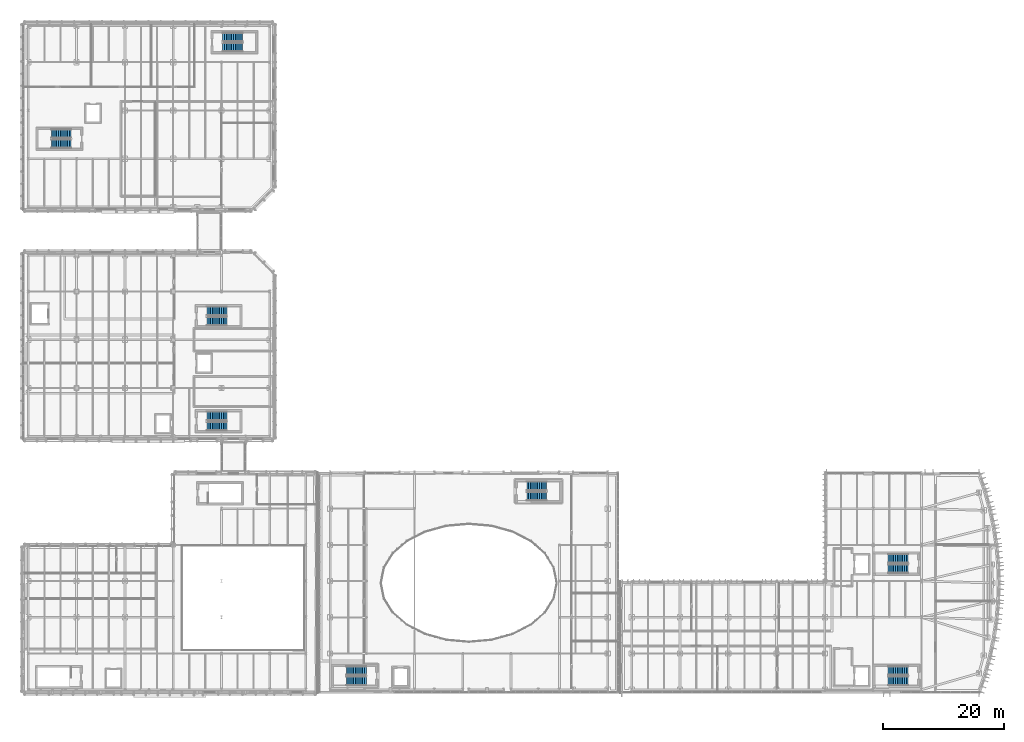
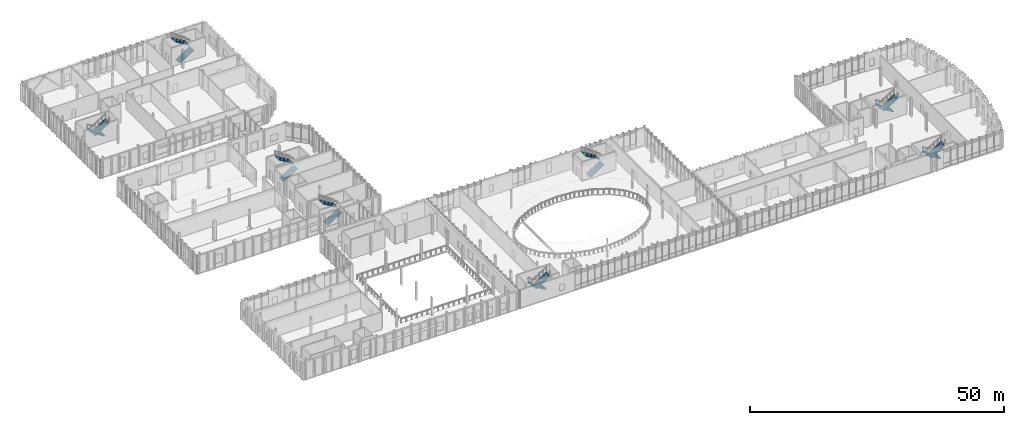
# One storey, part 77 of 100: 16 stair flights, 8 elements without a shape of their own.
"""IFC4 building model written with IfcOpenShell, lengths in metres."""

from ifc_helpers import new_model, si_unit, direction, frame, origin, place, context, subcontext, project, spatial, polyline, outline, extrude, material, type_object, element, aggregate, save


model = new_model("IFC4")

# Units and contexts
model_context = context("Model", 3, precision=1e-05, world=origin(), true_north=direction((0.0, 1.0)))
body_context = subcontext(model_context, "Body", "Model", "MODEL_VIEW")
ifc_project = project(units=[si_unit("LENGTHUNIT", "METRE"), si_unit("AREAUNIT", "SQUARE_METRE"), si_unit("VOLUMEUNIT", "CUBIC_METRE"), si_unit("PLANEANGLEUNIT", "RADIAN"), si_unit("MASSUNIT", "GRAM", prefix="KILO")], contexts=[model_context])

# Site, building, storey
site_placement = place(None, origin())
site = spatial("IfcSite", under=ifc_project, at=site_placement, CompositionType="ELEMENT")
building_placement = place(site_placement, origin())
building = spatial("IfcBuilding", under=site, at=building_placement, Name="Cymarion Research Institute", CompositionType="ELEMENT")
storey_placement = place(building_placement, frame((0.0, 0.0, 9.300048828125)))
storey = spatial("IfcBuildingStorey", under=building, at=storey_placement, Name="L02", CompositionType="ELEMENT", Elevation=9.300048828125)

# Stair, stair flights
ifc_material = material(Name="Concrete C35/45", Category="concrete")
stair_type = type_object("IfcStairType", Name="REINFORCED CONCRETE DOGLEG STAIR STR-4500", PredefinedType="HALF_TURN_STAIR", material=ifc_material)
stair_1_placement = place(storey_placement, origin())
stair_1 = element("IfcStair", 1, at=stair_1_placement, inside=storey, type_object=stair_type, Name="L02 Core C1 Smoke-Proof Exit Stair ST1", PredefinedType="HALF_TURN_STAIR")
stair_flight_type = type_object("IfcStairFlightType", Name="REINFORCED CONCRETE STAIR FLIGHT SFL-4500", PredefinedType="STRAIGHT", material=ifc_material)
stair_flight_1_placement = place(storey_placement, frame((152.39990234375, 8.639892578125, 0.0), z_axis=(0.0, 0.0, 1.0), x_axis=(-1.0, 0.0, 0.0)))
stair_flight_1 = element("IfcStairFlight", 2, at=stair_flight_1_placement, type_object=stair_flight_type, Name="ST1 flight 1", NumberOfRisers=12, NumberOfTreads=11, PredefinedType="STRAIGHT", RiserHeight=0.1875, TreadLength=0.3, context=body_context, shape_type="SweptSolid", body=[
    extrude(outline(polyline([(0.0, 0.0), (0.0, 0.1875), (0.300048828125, 0.1875), (0.300048828125, 0.375), (0.60009765625, 0.375), (0.60009765625, 0.5625), (0.89990234375, 0.5625), (0.89990234375, 0.75), (1.199951171875, 0.75), (1.199951171875, 0.9375), (1.5, 0.9375), (1.5, 1.125), (1.800048828125, 1.125), (1.800048828125, 1.3125), (2.10009765625, 1.3125), (2.10009765625, 1.5), (2.39990234375, 1.5), (2.39990234375, 1.6875), (2.699951171875, 1.6875), (2.699951171875, 1.875), (3.0, 1.875), (3.0, 2.0625), (3.300048828125, 2.0625), (3.300048828125, 2.25), (3.300048828125, 1.8857421875), (0.28271484375, 0.0), (0.0, 0.0)])), frame((0.0, 0.760009765625, 0.0), z_axis=(0.0, -1.0, 0.0), x_axis=(1.0, 0.0, 0.0)), (0.0, 0.0, 1.0), 1.52001953125),
])
stair_flight_2_placement = place(storey_placement, frame((149.10009765625, 6.9599609375, 2.25), z_axis=(0.0, 0.0, 1.0), x_axis=(1.0, 0.0, 0.0)))
stair_flight_2 = element("IfcStairFlight", 3, at=stair_flight_2_placement, type_object=stair_flight_type, Name="ST1 flight 2", NumberOfRisers=12, NumberOfTreads=11, PredefinedType="STRAIGHT", RiserHeight=0.1875, TreadLength=0.3, context=body_context, shape_type="SweptSolid", body=[
    extrude(outline(polyline([(0.0, 0.0), (0.0, 0.1875), (0.300048828125, 0.1875), (0.300048828125, 0.375), (0.60009765625, 0.375), (0.60009765625, 0.5625), (0.89990234375, 0.5625), (0.89990234375, 0.75), (1.199951171875, 0.75), (1.199951171875, 0.9375), (1.5, 0.9375), (1.5, 1.125), (1.800048828125, 1.125), (1.800048828125, 1.3125), (2.10009765625, 1.3125), (2.10009765625, 1.5), (2.39990234375, 1.5), (2.39990234375, 1.6875), (2.699951171875, 1.6875), (2.699951171875, 1.875), (3.0, 1.875), (3.0, 2.0625), (3.300048828125, 2.0625), (3.300048828125, 2.25), (3.300048828125, 1.8857421875), (0.28271484375, 0.0), (0.0, 0.0)])), frame((0.0, 0.760009765625, 0.0), z_axis=(0.0, -1.0, 0.0), x_axis=(1.0, 0.0, 0.0)), (0.0, 0.0, 1.0), 1.52001953125),
])
aggregate(stair_1, [stair_flight_1, stair_flight_2])

stair_2_placement = place(storey_placement, origin())
stair_2 = element("IfcStair", 4, at=stair_2_placement, inside=storey, type_object=stair_type, Name="L02 Core C2 Smoke-Proof Exit Stair ST2", PredefinedType="HALF_TURN_STAIR")
stair_flight_3_placement = place(storey_placement, frame((152.39990234375, 27.239990234375, 0.0), z_axis=(0.0, 0.0, 1.0), x_axis=(-1.0, 0.0, 0.0)))
stair_flight_3 = element("IfcStairFlight", 5, at=stair_flight_3_placement, type_object=stair_flight_type, Name="ST2 flight 1", NumberOfRisers=12, NumberOfTreads=11, PredefinedType="STRAIGHT", RiserHeight=0.1875, TreadLength=0.3, context=body_context, shape_type="SweptSolid", body=[
    extrude(outline(polyline([(0.0, 0.0), (0.0, 0.1875), (0.300048828125, 0.1875), (0.300048828125, 0.375), (0.60009765625, 0.375), (0.60009765625, 0.5625), (0.89990234375, 0.5625), (0.89990234375, 0.75), (1.199951171875, 0.75), (1.199951171875, 0.9375), (1.5, 0.9375), (1.5, 1.125), (1.800048828125, 1.125), (1.800048828125, 1.3125), (2.10009765625, 1.3125), (2.10009765625, 1.5), (2.39990234375, 1.5), (2.39990234375, 1.6875), (2.699951171875, 1.6875), (2.699951171875, 1.875), (3.0, 1.875), (3.0, 2.0625), (3.300048828125, 2.0625), (3.300048828125, 2.25), (3.300048828125, 1.8857421875), (0.28271484375, 0.0), (0.0, 0.0)])), frame((0.0, 0.760009765625, 0.0), z_axis=(0.0, -1.0, 0.0), x_axis=(1.0, 0.0, 0.0)), (0.0, 0.0, 1.0), 1.52001953125),
])
stair_flight_4_placement = place(storey_placement, frame((149.10009765625, 25.56005859375, 2.25), z_axis=(0.0, 0.0, 1.0), x_axis=(1.0, 0.0, 0.0)))
stair_flight_4 = element("IfcStairFlight", 6, at=stair_flight_4_placement, type_object=stair_flight_type, Name="ST2 flight 2", NumberOfRisers=12, NumberOfTreads=11, PredefinedType="STRAIGHT", RiserHeight=0.1875, TreadLength=0.3, context=body_context, shape_type="SweptSolid", body=[
    extrude(outline(polyline([(0.0, 0.0), (0.0, 0.1875), (0.300048828125, 0.1875), (0.300048828125, 0.375), (0.60009765625, 0.375), (0.60009765625, 0.5625), (0.89990234375, 0.5625), (0.89990234375, 0.75), (1.199951171875, 0.75), (1.199951171875, 0.9375), (1.5, 0.9375), (1.5, 1.125), (1.800048828125, 1.125), (1.800048828125, 1.3125), (2.10009765625, 1.3125), (2.10009765625, 1.5), (2.39990234375, 1.5), (2.39990234375, 1.6875), (2.699951171875, 1.6875), (2.699951171875, 1.875), (3.0, 1.875), (3.0, 2.0625), (3.300048828125, 2.0625), (3.300048828125, 2.25), (3.300048828125, 1.8857421875), (0.28271484375, 0.0), (0.0, 0.0)])), frame((0.0, 0.760009765625, 0.0), z_axis=(0.0, -1.0, 0.0), x_axis=(1.0, 0.0, 0.0)), (0.0, 0.0, 1.0), 1.52001953125),
])
aggregate(stair_2, [stair_flight_3, stair_flight_4])

stair_3_placement = place(storey_placement, origin())
stair_3 = element("IfcStair", 7, at=stair_3_placement, inside=storey, type_object=stair_type, Name="L02 Core C3 Smoke-Proof Exit Stair ST3", PredefinedType="HALF_TURN_STAIR")
stair_flight_5_placement = place(storey_placement, frame((62.60009765625, 8.639892578125, 0.0), z_axis=(0.0, 0.0, 1.0), x_axis=(-1.0, 0.0, 0.0)))
stair_flight_5 = element("IfcStairFlight", 8, at=stair_flight_5_placement, type_object=stair_flight_type, Name="ST3 flight 1", NumberOfRisers=12, NumberOfTreads=11, PredefinedType="STRAIGHT", RiserHeight=0.1875, TreadLength=0.3, context=body_context, shape_type="SweptSolid", body=[
    extrude(outline(polyline([(0.0, 0.0), (0.0, 0.1875), (0.300048828125, 0.1875), (0.300048828125, 0.375), (0.60009765625, 0.375), (0.60009765625, 0.5625), (0.89990234375, 0.5625), (0.89990234375, 0.75), (1.199951171875, 0.75), (1.199951171875, 0.9375), (1.5, 0.9375), (1.5, 1.125), (1.800048828125, 1.125), (1.800048828125, 1.3125), (2.10009765625, 1.3125), (2.10009765625, 1.5), (2.39990234375, 1.5), (2.39990234375, 1.6875), (2.699951171875, 1.6875), (2.699951171875, 1.875), (3.0, 1.875), (3.0, 2.0625), (3.300048828125, 2.0625), (3.300048828125, 2.25), (3.300048828125, 1.8857421875), (0.28271484375, 0.0), (0.0, 0.0)])), frame((0.0, 0.760009765625, 0.0), z_axis=(0.0, -1.0, 0.0), x_axis=(1.0, 0.0, 0.0)), (0.0, 0.0, 1.0), 1.52001953125),
])
stair_flight_6_placement = place(storey_placement, frame((59.300048828125, 6.9599609375, 2.25), z_axis=(0.0, 0.0, 1.0), x_axis=(1.0, 0.0, 0.0)))
stair_flight_6 = element("IfcStairFlight", 9, at=stair_flight_6_placement, type_object=stair_flight_type, Name="ST3 flight 2", NumberOfRisers=12, NumberOfTreads=11, PredefinedType="STRAIGHT", RiserHeight=0.1875, TreadLength=0.3, context=body_context, shape_type="SweptSolid", body=[
    extrude(outline(polyline([(0.0, 0.0), (0.0, 0.1875), (0.300048828125, 0.1875), (0.300048828125, 0.375), (0.60009765625, 0.375), (0.60009765625, 0.5625), (0.89990234375, 0.5625), (0.89990234375, 0.75), (1.199951171875, 0.75), (1.199951171875, 0.9375), (1.5, 0.9375), (1.5, 1.125), (1.800048828125, 1.125), (1.800048828125, 1.3125), (2.10009765625, 1.3125), (2.10009765625, 1.5), (2.39990234375, 1.5), (2.39990234375, 1.6875), (2.699951171875, 1.6875), (2.699951171875, 1.875), (3.0, 1.875), (3.0, 2.0625), (3.300048828125, 2.0625), (3.300048828125, 2.25), (3.300048828125, 1.8857421875), (0.28271484375, 0.0), (0.0, 0.0)])), frame((0.0, 0.760009765625, 0.0), z_axis=(0.0, -1.0, 0.0), x_axis=(1.0, 0.0, 0.0)), (0.0, 0.0, 1.0), 1.52001953125),
])
aggregate(stair_3, [stair_flight_5, stair_flight_6])

stair_4_placement = place(storey_placement, origin())
stair_4 = element("IfcStair", 10, at=stair_4_placement, inside=storey, type_object=stair_type, Name="L02 Core C4 Smoke-Proof Exit Stair ST4", PredefinedType="HALF_TURN_STAIR")
stair_flight_7_placement = place(storey_placement, frame((89.199951171875, 37.56005859375, 0.0), z_axis=(0.0, 0.0, 1.0), x_axis=(1.0, 0.0, 0.0)))
stair_flight_7 = element("IfcStairFlight", 11, at=stair_flight_7_placement, type_object=stair_flight_type, Name="ST4 flight 1", NumberOfRisers=12, NumberOfTreads=11, PredefinedType="STRAIGHT", RiserHeight=0.1875, TreadLength=0.3, context=body_context, shape_type="SweptSolid", body=[
    extrude(outline(polyline([(0.0, 0.0), (0.0, 0.1875), (0.300048828125, 0.1875), (0.300048828125, 0.375), (0.60009765625, 0.375), (0.60009765625, 0.5625), (0.89990234375, 0.5625), (0.89990234375, 0.75), (1.199951171875, 0.75), (1.199951171875, 0.9375), (1.5, 0.9375), (1.5, 1.125), (1.800048828125, 1.125), (1.800048828125, 1.3125), (2.10009765625, 1.3125), (2.10009765625, 1.5), (2.39990234375, 1.5), (2.39990234375, 1.6875), (2.699951171875, 1.6875), (2.699951171875, 1.875), (3.0, 1.875), (3.0, 2.0625), (3.300048828125, 2.0625), (3.300048828125, 2.25), (3.300048828125, 1.8857421875), (0.28271484375, 0.0), (0.0, 0.0)])), frame((0.0, 0.760009765625, 0.0), z_axis=(0.0, -1.0, 0.0), x_axis=(1.0, 0.0, 0.0)), (0.0, 0.0, 1.0), 1.52001953125),
])
stair_flight_8_placement = place(storey_placement, frame((92.5, 39.239990234375, 2.25), z_axis=(0.0, 0.0, 1.0), x_axis=(-1.0, 0.0, 0.0)))
stair_flight_8 = element("IfcStairFlight", 12, at=stair_flight_8_placement, type_object=stair_flight_type, Name="ST4 flight 2", NumberOfRisers=12, NumberOfTreads=11, PredefinedType="STRAIGHT", RiserHeight=0.1875, TreadLength=0.3, context=body_context, shape_type="SweptSolid", body=[
    extrude(outline(polyline([(0.0, 0.0), (0.0, 0.1875), (0.300048828125, 0.1875), (0.300048828125, 0.375), (0.60009765625, 0.375), (0.60009765625, 0.5625), (0.89990234375, 0.5625), (0.89990234375, 0.75), (1.199951171875, 0.75), (1.199951171875, 0.9375), (1.5, 0.9375), (1.5, 1.125), (1.800048828125, 1.125), (1.800048828125, 1.3125), (2.10009765625, 1.3125), (2.10009765625, 1.5), (2.39990234375, 1.5), (2.39990234375, 1.6875), (2.699951171875, 1.6875), (2.699951171875, 1.875), (3.0, 1.875), (3.0, 2.0625), (3.300048828125, 2.0625), (3.300048828125, 2.25), (3.300048828125, 1.8857421875), (0.28271484375, 0.0), (0.0, 0.0)])), frame((0.0, 0.760009765625, 0.0), z_axis=(0.0, -1.0, 0.0), x_axis=(1.0, 0.0, 0.0)), (0.0, 0.0, 1.0), 1.52001953125),
])
aggregate(stair_4, [stair_flight_7, stair_flight_8])

stair_5_placement = place(storey_placement, origin())
stair_5 = element("IfcStair", 13, at=stair_5_placement, inside=storey, type_object=stair_type, Name="L02 Core C7 Smoke-Proof Exit Stair ST7", PredefinedType="HALF_TURN_STAIR")
stair_flight_9_placement = place(storey_placement, frame((36.199951171875, 49.159912109375, 0.0), z_axis=(0.0, 0.0, 1.0), x_axis=(1.0, 0.0, 0.0)))
stair_flight_9 = element("IfcStairFlight", 14, at=stair_flight_9_placement, type_object=stair_flight_type, Name="ST7 flight 1", NumberOfRisers=12, NumberOfTreads=11, PredefinedType="STRAIGHT", RiserHeight=0.1875, TreadLength=0.3, context=body_context, shape_type="SweptSolid", body=[
    extrude(outline(polyline([(0.0, 0.0), (0.0, 0.1875), (0.300048828125, 0.1875), (0.300048828125, 0.375), (0.60009765625, 0.375), (0.60009765625, 0.5625), (0.89990234375, 0.5625), (0.89990234375, 0.75), (1.199951171875, 0.75), (1.199951171875, 0.9375), (1.5, 0.9375), (1.5, 1.125), (1.800048828125, 1.125), (1.800048828125, 1.3125), (2.10009765625, 1.3125), (2.10009765625, 1.5), (2.39990234375, 1.5), (2.39990234375, 1.6875), (2.699951171875, 1.6875), (2.699951171875, 1.875), (3.0, 1.875), (3.0, 2.0625), (3.300048828125, 2.0625), (3.300048828125, 2.25), (3.300048828125, 1.8857421875), (0.28271484375, 0.0), (0.0, 0.0)])), frame((0.0, 0.760009765625, 0.0), z_axis=(0.0, -1.0, 0.0), x_axis=(1.0, 0.0, 0.0)), (0.0, 0.0, 1.0), 1.52001953125),
])
stair_flight_10_placement = place(storey_placement, frame((39.5, 50.840087890625, 2.25), z_axis=(0.0, 0.0, 1.0), x_axis=(-1.0, 0.0, 0.0)))
stair_flight_10 = element("IfcStairFlight", 15, at=stair_flight_10_placement, type_object=stair_flight_type, Name="ST7 flight 2", NumberOfRisers=12, NumberOfTreads=11, PredefinedType="STRAIGHT", RiserHeight=0.1875, TreadLength=0.3, context=body_context, shape_type="SweptSolid", body=[
    extrude(outline(polyline([(0.0, 0.0), (0.0, 0.1875), (0.300048828125, 0.1875), (0.300048828125, 0.375), (0.60009765625, 0.375), (0.60009765625, 0.5625), (0.89990234375, 0.5625), (0.89990234375, 0.75), (1.199951171875, 0.75), (1.199951171875, 0.9375), (1.5, 0.9375), (1.5, 1.125), (1.800048828125, 1.125), (1.800048828125, 1.3125), (2.10009765625, 1.3125), (2.10009765625, 1.5), (2.39990234375, 1.5), (2.39990234375, 1.6875), (2.699951171875, 1.6875), (2.699951171875, 1.875), (3.0, 1.875), (3.0, 2.0625), (3.300048828125, 2.0625), (3.300048828125, 2.25), (3.300048828125, 1.8857421875), (0.28271484375, 0.0), (0.0, 0.0)])), frame((0.0, 0.760009765625, 0.0), z_axis=(0.0, -1.0, 0.0), x_axis=(1.0, 0.0, 0.0)), (0.0, 0.0, 1.0), 1.52001953125),
])
aggregate(stair_5, [stair_flight_9, stair_flight_10])

stair_6_placement = place(storey_placement, origin())
stair_6 = element("IfcStair", 16, at=stair_6_placement, inside=storey, type_object=stair_type, Name="L02 Core C8 Smoke-Proof Exit Stair ST8", PredefinedType="HALF_TURN_STAIR")
stair_flight_11_placement = place(storey_placement, frame((36.199951171875, 66.56005859375, 0.0), z_axis=(0.0, 0.0, 1.0), x_axis=(1.0, 0.0, 0.0)))
stair_flight_11 = element("IfcStairFlight", 17, at=stair_flight_11_placement, type_object=stair_flight_type, Name="ST8 flight 1", NumberOfRisers=12, NumberOfTreads=11, PredefinedType="STRAIGHT", RiserHeight=0.1875, TreadLength=0.3, context=body_context, shape_type="SweptSolid", body=[
    extrude(outline(polyline([(0.0, 0.0), (0.0, 0.1875), (0.300048828125, 0.1875), (0.300048828125, 0.375), (0.60009765625, 0.375), (0.60009765625, 0.5625), (0.89990234375, 0.5625), (0.89990234375, 0.75), (1.199951171875, 0.75), (1.199951171875, 0.9375), (1.5, 0.9375), (1.5, 1.125), (1.800048828125, 1.125), (1.800048828125, 1.3125), (2.10009765625, 1.3125), (2.10009765625, 1.5), (2.39990234375, 1.5), (2.39990234375, 1.6875), (2.699951171875, 1.6875), (2.699951171875, 1.875), (3.0, 1.875), (3.0, 2.0625), (3.300048828125, 2.0625), (3.300048828125, 2.25), (3.300048828125, 1.8857421875), (0.28271484375, 0.0), (0.0, 0.0)])), frame((0.0, 0.760009765625, 0.0), z_axis=(0.0, -1.0, 0.0), x_axis=(1.0, 0.0, 0.0)), (0.0, 0.0, 1.0), 1.52001953125),
])
stair_flight_12_placement = place(storey_placement, frame((39.5, 68.239990234375, 2.25), z_axis=(0.0, 0.0, 1.0), x_axis=(-1.0, 0.0, 0.0)))
stair_flight_12 = element("IfcStairFlight", 18, at=stair_flight_12_placement, type_object=stair_flight_type, Name="ST8 flight 2", NumberOfRisers=12, NumberOfTreads=11, PredefinedType="STRAIGHT", RiserHeight=0.1875, TreadLength=0.3, context=body_context, shape_type="SweptSolid", body=[
    extrude(outline(polyline([(0.0, 0.0), (0.0, 0.1875), (0.300048828125, 0.1875), (0.300048828125, 0.375), (0.60009765625, 0.375), (0.60009765625, 0.5625), (0.89990234375, 0.5625), (0.89990234375, 0.75), (1.199951171875, 0.75), (1.199951171875, 0.9375), (1.5, 0.9375), (1.5, 1.125), (1.800048828125, 1.125), (1.800048828125, 1.3125), (2.10009765625, 1.3125), (2.10009765625, 1.5), (2.39990234375, 1.5), (2.39990234375, 1.6875), (2.699951171875, 1.6875), (2.699951171875, 1.875), (3.0, 1.875), (3.0, 2.0625), (3.300048828125, 2.0625), (3.300048828125, 2.25), (3.300048828125, 1.8857421875), (0.28271484375, 0.0), (0.0, 0.0)])), frame((0.0, 0.760009765625, 0.0), z_axis=(0.0, -1.0, 0.0), x_axis=(1.0, 0.0, 0.0)), (0.0, 0.0, 1.0), 1.52001953125),
])
aggregate(stair_6, [stair_flight_11, stair_flight_12])

stair_7_placement = place(storey_placement, origin())
stair_7 = element("IfcStair", 19, at=stair_7_placement, inside=storey, type_object=stair_type, Name="L02 Core C9 Smoke-Proof Exit Stair ST9", PredefinedType="HALF_TURN_STAIR")
stair_flight_13_placement = place(storey_placement, frame((13.699951171875, 97.639892578125, 0.0), z_axis=(0.0, 0.0, 1.0), x_axis=(-1.0, 0.0, 0.0)))
stair_flight_13 = element("IfcStairFlight", 20, at=stair_flight_13_placement, type_object=stair_flight_type, Name="ST9 flight 1", NumberOfRisers=12, NumberOfTreads=11, PredefinedType="STRAIGHT", RiserHeight=0.1875, TreadLength=0.3, context=body_context, shape_type="SweptSolid", body=[
    extrude(outline(polyline([(0.0, 0.0), (0.0, 0.1875), (0.300048828125, 0.1875), (0.300048828125, 0.375), (0.60009765625, 0.375), (0.60009765625, 0.5625), (0.89990234375, 0.5625), (0.89990234375, 0.75), (1.199951171875, 0.75), (1.199951171875, 0.9375), (1.5, 0.9375), (1.5, 1.125), (1.800048828125, 1.125), (1.800048828125, 1.3125), (2.10009765625, 1.3125), (2.10009765625, 1.5), (2.39990234375, 1.5), (2.39990234375, 1.6875), (2.699951171875, 1.6875), (2.699951171875, 1.875), (3.0, 1.875), (3.0, 2.0625), (3.300048828125, 2.0625), (3.300048828125, 2.25), (3.300048828125, 1.8857421875), (0.28271484375, 0.0), (0.0, 0.0)])), frame((0.0, 0.760009765625, 0.0), z_axis=(0.0, -1.0, 0.0), x_axis=(1.0, 0.0, 0.0)), (0.0, 0.0, 1.0), 1.52001953125),
])
stair_flight_14_placement = place(storey_placement, frame((10.39990234375, 95.9599609375, 2.25), z_axis=(0.0, 0.0, 1.0), x_axis=(1.0, 0.0, 0.0)))
stair_flight_14 = element("IfcStairFlight", 21, at=stair_flight_14_placement, type_object=stair_flight_type, Name="ST9 flight 2", NumberOfRisers=12, NumberOfTreads=11, PredefinedType="STRAIGHT", RiserHeight=0.1875, TreadLength=0.3, context=body_context, shape_type="SweptSolid", body=[
    extrude(outline(polyline([(0.0, 0.0), (0.0, 0.1875), (0.300048828125, 0.1875), (0.300048828125, 0.375), (0.60009765625, 0.375), (0.60009765625, 0.5625), (0.89990234375, 0.5625), (0.89990234375, 0.75), (1.199951171875, 0.75), (1.199951171875, 0.9375), (1.5, 0.9375), (1.5, 1.125), (1.800048828125, 1.125), (1.800048828125, 1.3125), (2.10009765625, 1.3125), (2.10009765625, 1.5), (2.39990234375, 1.5), (2.39990234375, 1.6875), (2.699951171875, 1.6875), (2.699951171875, 1.875), (3.0, 1.875), (3.0, 2.0625), (3.300048828125, 2.0625), (3.300048828125, 2.25), (3.300048828125, 1.8857421875), (0.28271484375, 0.0), (0.0, 0.0)])), frame((0.0, 0.760009765625, 0.0), z_axis=(0.0, -1.0, 0.0), x_axis=(1.0, 0.0, 0.0)), (0.0, 0.0, 1.0), 1.52001953125),
])
aggregate(stair_7, [stair_flight_13, stair_flight_14])

stair_8_placement = place(storey_placement, origin())
stair_8 = element("IfcStair", 22, at=stair_8_placement, inside=storey, type_object=stair_type, Name="L02 Core C10 Smoke-Proof Exit Stair ST10", PredefinedType="HALF_TURN_STAIR")
stair_flight_15_placement = place(storey_placement, frame((38.800048828125, 111.9599609375, 0.0), z_axis=(0.0, 0.0, 1.0), x_axis=(1.0, 0.0, 0.0)))
stair_flight_15 = element("IfcStairFlight", 23, at=stair_flight_15_placement, type_object=stair_flight_type, Name="ST10 flight 1", NumberOfRisers=12, NumberOfTreads=11, PredefinedType="STRAIGHT", RiserHeight=0.1875, TreadLength=0.3, context=body_context, shape_type="SweptSolid", body=[
    extrude(outline(polyline([(0.0, 0.0), (0.0, 0.1875), (0.300048828125, 0.1875), (0.300048828125, 0.375), (0.60009765625, 0.375), (0.60009765625, 0.5625), (0.89990234375, 0.5625), (0.89990234375, 0.75), (1.199951171875, 0.75), (1.199951171875, 0.9375), (1.5, 0.9375), (1.5, 1.125), (1.800048828125, 1.125), (1.800048828125, 1.3125), (2.10009765625, 1.3125), (2.10009765625, 1.5), (2.39990234375, 1.5), (2.39990234375, 1.6875), (2.699951171875, 1.6875), (2.699951171875, 1.875), (3.0, 1.875), (3.0, 2.0625), (3.300048828125, 2.0625), (3.300048828125, 2.25), (3.300048828125, 1.8857421875), (0.28271484375, 0.0), (0.0, 0.0)])), frame((0.0, 0.760009765625, 0.0), z_axis=(0.0, -1.0, 0.0), x_axis=(1.0, 0.0, 0.0)), (0.0, 0.0, 1.0), 1.52001953125),
])
stair_flight_16_placement = place(storey_placement, frame((42.10009765625, 113.639892578125, 2.25), z_axis=(0.0, 0.0, 1.0), x_axis=(-1.0, 0.0, 0.0)))
stair_flight_16 = element("IfcStairFlight", 24, at=stair_flight_16_placement, type_object=stair_flight_type, Name="ST10 flight 2", NumberOfRisers=12, NumberOfTreads=11, PredefinedType="STRAIGHT", RiserHeight=0.1875, TreadLength=0.3, context=body_context, shape_type="SweptSolid", body=[
    extrude(outline(polyline([(0.0, 0.0), (0.0, 0.1875), (0.300048828125, 0.1875), (0.300048828125, 0.375), (0.60009765625, 0.375), (0.60009765625, 0.5625), (0.89990234375, 0.5625), (0.89990234375, 0.75), (1.199951171875, 0.75), (1.199951171875, 0.9375), (1.5, 0.9375), (1.5, 1.125), (1.800048828125, 1.125), (1.800048828125, 1.3125), (2.10009765625, 1.3125), (2.10009765625, 1.5), (2.39990234375, 1.5), (2.39990234375, 1.6875), (2.699951171875, 1.6875), (2.699951171875, 1.875), (3.0, 1.875), (3.0, 2.0625), (3.300048828125, 2.0625), (3.300048828125, 2.25), (3.300048828125, 1.8857421875), (0.28271484375, 0.0), (0.0, 0.0)])), frame((0.0, 0.760009765625, 0.0), z_axis=(0.0, -1.0, 0.0), x_axis=(1.0, 0.0, 0.0)), (0.0, 0.0, 1.0), 1.52001953125),
])
aggregate(stair_8, [stair_flight_15, stair_flight_16])

save(model, "model.ifc")
